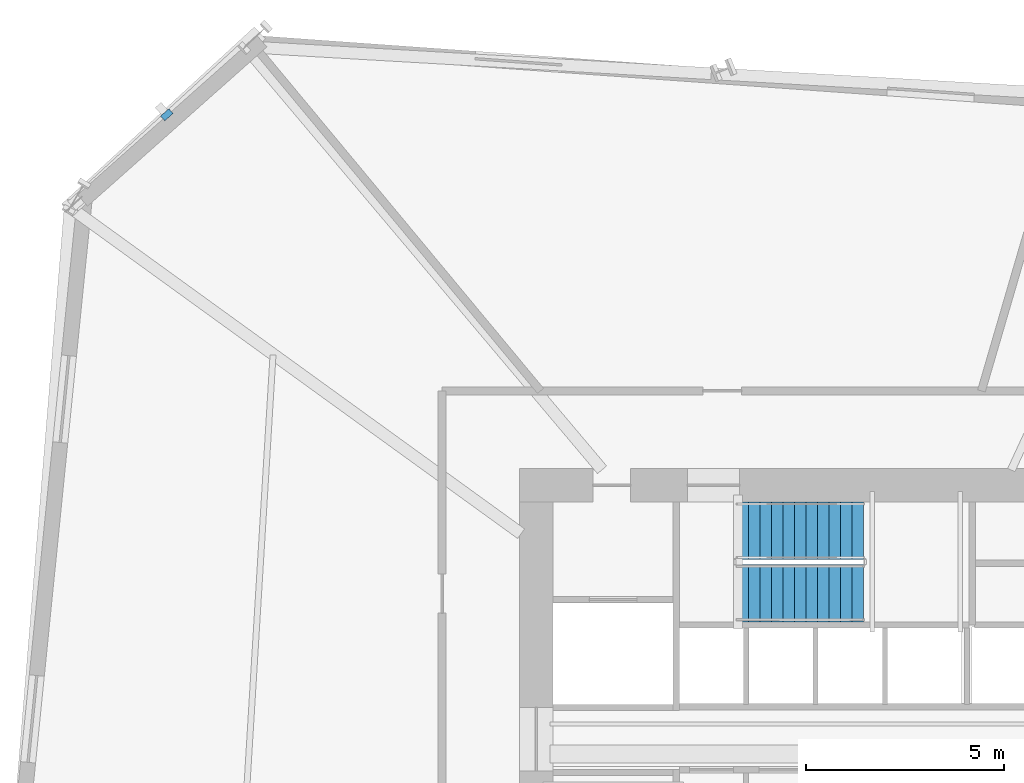
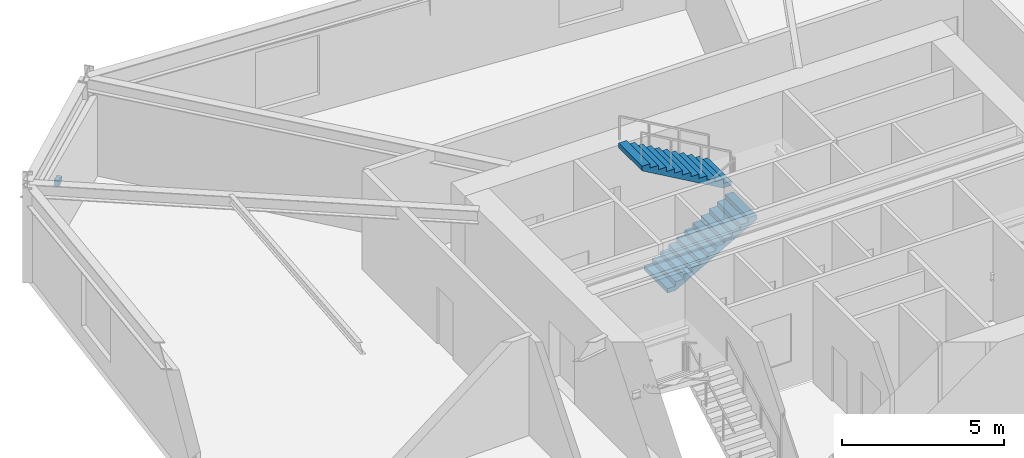
# One storey, part 16 of 19: 2 stair flights, 1 discrete accessory, 1 element without a shape of its own.
"""IFC4 building model written with IfcOpenShell, lengths in metres."""

from ifc_helpers import new_model, si_unit, direction, frame, origin, origin_2d, place, context, subcontext, project, spatial, polyline, rectangle, outline, extrude, source, transform, mapped, material, type_object, element, aggregate, save


model = new_model("IFC4")

# Units and contexts
model_context = context("Model", 3, precision=1e-05, world=origin(), true_north=direction((0.0, 1.0)))
body_context = subcontext(model_context, "Body", "Model", "MODEL_VIEW")
ifc_project = project(units=[si_unit("LENGTHUNIT", "METRE"), si_unit("AREAUNIT", "SQUARE_METRE"), si_unit("VOLUMEUNIT", "CUBIC_METRE"), si_unit("PLANEANGLEUNIT", "RADIAN"), si_unit("MASSUNIT", "GRAM", prefix="KILO")], contexts=[model_context])

# Site, building, storey
site_placement = place(None, origin())
site = spatial("IfcSite", under=ifc_project, at=site_placement, CompositionType="ELEMENT")
building_placement = place(site_placement, origin())
building = spatial("IfcBuilding", under=site, at=building_placement, Name="Olszyna Solenne Hotel", CompositionType="ELEMENT")
storey_placement = place(building_placement, frame((0.0, 0.0, 71.89990234375)))
storey = spatial("IfcBuildingStorey", under=building, at=storey_placement, Name="L18", CompositionType="ELEMENT", Elevation=71.89990234375)

# Stair, stair flights
ifc_material_1 = material(Name="Concrete C40/50", Category="concrete")
stair_type = type_object("IfcStairType", Name="STR-C1", PredefinedType="TWO_QUARTER_WINDING_STAIR", material=ifc_material_1)
stair_placement = place(storey_placement, origin())
stair = element("IfcStair", 1, at=stair_placement, inside=storey, type_object=stair_type, Name="L18 ST3", PredefinedType="TWO_QUARTER_WINDING_STAIR")
stair_flight_type = type_object("IfcStairFlightType", Name="FLT-C1", PredefinedType="STRAIGHT", material=ifc_material_1)
stair_flight_1_placement = place(storey_placement, frame((34.72998046875, 31.405029296875, 0.0), z_axis=(0.0, 0.0, 1.0), x_axis=(1.0, 0.0, 0.0)))
stair_flight_1 = element("IfcStairFlight", 2, at=stair_flight_1_placement, type_object=stair_flight_type, Name="ST3 flight 1", NumberOfRisers=12, NumberOfTreads=11, PredefinedType="STRAIGHT", RiserHeight=0.166666667, TreadLength=0.29, context=body_context, shape_type="SweptSolid", body=[
    extrude(outline(polyline([(0.0, 0.0), (0.0, 0.166748046875), (0.2900390625, 0.166748046875), (0.2900390625, 0.333251953125), (0.580078125, 0.333251953125), (0.580078125, 0.5), (0.8701171875, 0.5), (0.8701171875, 0.666748046875), (1.159912109375, 0.666748046875), (1.159912109375, 0.833251953125), (1.449951171875, 0.833251953125), (1.449951171875, 1.0), (1.739990234375, 1.0), (1.739990234375, 1.166748046875), (2.030029296875, 1.166748046875), (2.030029296875, 1.333251953125), (2.320068359375, 1.333251953125), (2.320068359375, 1.5), (2.610107421875, 1.5), (2.610107421875, 1.666748046875), (2.89990234375, 1.666748046875), (2.89990234375, 1.833251953125), (3.18994140625, 1.833251953125), (3.18994140625, 2.0), (3.18994140625, 1.660400390625), (0.30078125, 0.0), (0.0, 0.0)])), frame((0.0, 0.72509765625, 0.0), z_axis=(0.0, -1.0, 0.0), x_axis=(1.0, 0.0, 0.0)), (0.0, 0.0, 1.0), 1.449951171875),
])
stair_flight_2_placement = place(storey_placement, frame((37.919921875, 32.97509765625, 2.0), z_axis=(0.0, 0.0, 1.0), x_axis=(-1.0, 0.0, 0.0)))
stair_flight_2 = element("IfcStairFlight", 3, at=stair_flight_2_placement, type_object=stair_flight_type, Name="ST3 flight 2", NumberOfRisers=12, NumberOfTreads=11, PredefinedType="STRAIGHT", RiserHeight=0.166666667, TreadLength=0.29, context=body_context, shape_type="SweptSolid", body=[
    extrude(outline(polyline([(0.0, 0.0), (0.0, 0.166748046875), (0.2900390625, 0.166748046875), (0.2900390625, 0.333251953125), (0.580078125, 0.333251953125), (0.580078125, 0.5), (0.8701171875, 0.5), (0.8701171875, 0.666748046875), (1.159912109375, 0.666748046875), (1.159912109375, 0.833251953125), (1.449951171875, 0.833251953125), (1.449951171875, 1.0), (1.739990234375, 1.0), (1.739990234375, 1.166748046875), (2.030029296875, 1.166748046875), (2.030029296875, 1.333251953125), (2.320068359375, 1.333251953125), (2.320068359375, 1.5), (2.610107421875, 1.5), (2.610107421875, 1.666748046875), (2.89990234375, 1.666748046875), (2.89990234375, 1.833251953125), (3.18994140625, 1.833251953125), (3.18994140625, 2.0), (3.18994140625, 1.660400390625), (0.30078125, 0.0), (0.0, 0.0)])), frame((0.0, 0.72509765625, 0.0), z_axis=(0.0, -1.0, 0.0), x_axis=(1.0, 0.0, 0.0)), (0.0, 0.0, 1.0), 1.449951171875),
])
aggregate(stair, [stair_flight_1, stair_flight_2])

# Discrete accessory
ifc_material_2 = material(Name="Steel S355J2", Category="steel")
discrete_accessory_type = type_object("IfcDiscreteAccessoryType", Name="BRK-01", PredefinedType="BRACKET", material=ifc_material_2)
shared_shape = source(origin(), body_context, "Body", "SweptSolid", [
    extrude(rectangle(XDim=0.280029296875, YDim=0.159912109375, at=origin_2d()), origin(), (0.0, 0.0, 1.0), 0.219970703125),
])
discrete_accessory_placement = place(storey_placement, frame((20.36083984375, 43.4599609375, 1.4111328125), z_axis=(0.0, 0.0, 1.0), x_axis=(0.747798090499, 0.663926212652, 0.0)))
element("IfcDiscreteAccessory", 4, at=discrete_accessory_placement, inside=storey, type_object=discrete_accessory_type, Name="Facade support bracket BRK-FN-L18-05", PredefinedType="BRACKET", context=body_context, shape_type="MappedRepresentation", body=[
    mapped(shared_shape, transform((0.0, 0.0, 0.0), x_axis=(1.0, 0.0, 0.0), y_axis=(0.0, 1.0, 0.0), z_axis=(0.0, 0.0, 1.0), scale=1.0)),
])

save(model, "model.ifc")
